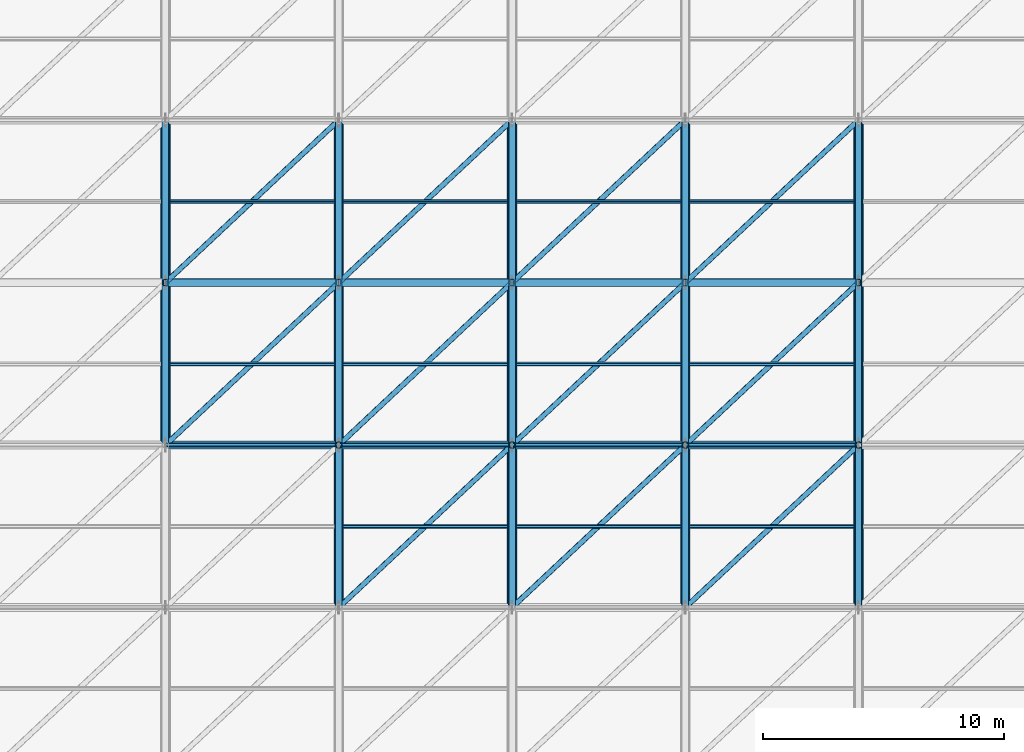
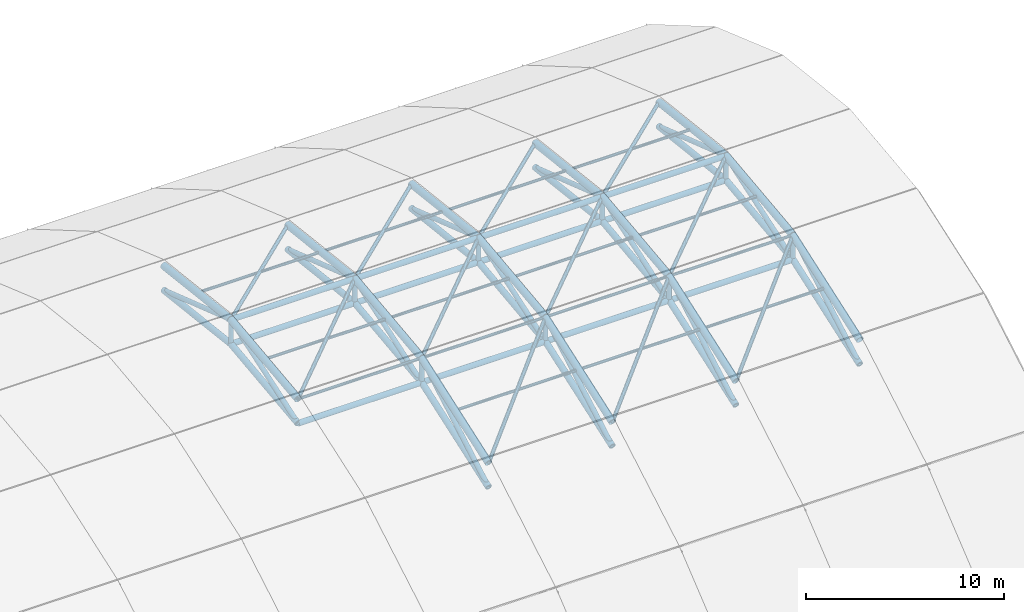
# One storey, part 9 of 72: 75 members, 14 beams.
"""IFC4 building model written with IfcOpenShell, lengths in metres."""

from ifc_helpers import new_model, si_unit, direction, frame, origin, origin_2d, place, context, subcontext, project, spatial, hollow_circle, extrude, material, material_profile, profile_set, type_object, element, save


model = new_model("IFC4")

# Units and contexts
model_context = context("Model", 3, precision=1e-05, world=origin(), true_north=direction((0.0, 1.0)))
body_context = subcontext(model_context, "Body", "Model", "MODEL_VIEW")
ifc_project = project(units=[si_unit("LENGTHUNIT", "METRE"), si_unit("AREAUNIT", "SQUARE_METRE"), si_unit("VOLUMEUNIT", "CUBIC_METRE"), si_unit("PLANEANGLEUNIT", "RADIAN"), si_unit("MASSUNIT", "GRAM", prefix="KILO")], contexts=[model_context])

# Site, building, storey
site_placement = place(None, origin())
site = spatial("IfcSite", under=ifc_project, at=site_placement, CompositionType="ELEMENT")
building_placement = place(site_placement, origin())
building = spatial("IfcBuilding", under=site, at=building_placement, Name="Vaelcorin Mobility Hub", CompositionType="ELEMENT")
storey_placement = place(building_placement, frame((0.0, 0.0, 25.800048828125)))
storey = spatial("IfcBuildingStorey", under=building, at=storey_placement, Name="RF", CompositionType="ELEMENT", Elevation=25.800048828125)

# Members
ifc_material = material(Name="Steel ASTM A500 Grade C", Category="steel")
ifc_material_profile_1 = material_profile(ifc_material, hollow_circle(Radius=0.161865234375, WallThickness=0.0126953125, at=origin_2d()), Name="HSS12.750X0.500")
ifc_profile_set_1 = profile_set([ifc_material_profile_1], Name="Steel ASTM A500 Grade C")
member_type_1 = type_object("IfcMemberType", Name="SF-CHORD-12", PredefinedType="CHORD", material=ifc_profile_set_1)
for number, where, z_axis, x_axis, name in (
    (1, (72.0, 26.25, -9.488037109375), (1.0, 0.0, 0.0), (0.0, 1.0, 0.0), "Space Frame Lower Longitudinal Chord 6-3"),
    (2, (72.0, 33.0, -7.199951171875), (1.0, 0.0, 0.0), (0.0, 1.0, 0.0), "Space Frame Longitudinal Chord 6-4"),
    (3, (72.0, 33.0, -8.699951171875), (1.0, 0.0, 0.0), (0.0, 1.0, 0.0), "Space Frame Lower Longitudinal Chord 6-4"),
    (4, (79.199951171875, 26.25, -9.488037109375), (1.0, 0.0, 0.0), (0.0, 1.0, 0.0), "Space Frame Lower Longitudinal Chord 7-3"),
    (5, (79.199951171875, 33.0, -7.199951171875), (1.0, 0.0, 0.0), (0.0, 1.0, 0.0), "Space Frame Longitudinal Chord 7-4"),
    (6, (79.199951171875, 33.0, -8.699951171875), (1.0, 0.0, 0.0), (0.0, 1.0, 0.0), "Space Frame Lower Longitudinal Chord 7-4"),
):
    element("IfcMember", number, at=place(storey_placement, frame(where, z_axis=z_axis, x_axis=x_axis)), inside=storey, type_object=member_type_1, Name=name, PredefinedType="CHORD", context=body_context, shape_type="SweptSolid", body=[
        extrude(hollow_circle(Radius=0.161865234375, WallThickness=0.0126953125, at=origin_2d()), origin(), (0.0, 0.0, 1.0), 7.199951171875),
    ])
for number, where, z_axis, x_axis, name in (
    (7, (86.39990234375, 26.25, -9.488037109375), (1.0, 0.0, 0.0), (0.0, 1.0, 0.0), "Space Frame Lower Longitudinal Chord 8-3"),
    (8, (86.39990234375, 33.0, -7.199951171875), (1.0, 0.0, 0.0), (0.0, 1.0, 0.0), "Space Frame Longitudinal Chord 8-4"),
    (9, (86.39990234375, 33.0, -8.699951171875), (1.0, 0.0, 0.0), (0.0, 1.0, 0.0), "Space Frame Lower Longitudinal Chord 8-4"),
):
    element("IfcMember", number, at=place(storey_placement, frame(where, z_axis=z_axis, x_axis=x_axis)), inside=storey, type_object=member_type_1, Name=name, PredefinedType="CHORD", context=body_context, shape_type="SweptSolid", body=[
        extrude(hollow_circle(Radius=0.161865234375, WallThickness=0.0126953125, at=origin_2d()), origin(), (0.0, 0.0, 1.0), 7.2001953125),
    ])
for number, where, z_axis, x_axis, name in (
    (10, (93.60009765625, 26.25, -9.488037109375), (1.0, 0.0, 0.0), (0.0, 1.0, 0.0), "Space Frame Lower Longitudinal Chord 9-3"),
    (11, (93.60009765625, 33.0, -7.199951171875), (1.0, 0.0, 0.0), (0.0, 1.0, 0.0), "Space Frame Longitudinal Chord 9-4"),
    (12, (93.60009765625, 33.0, -8.699951171875), (1.0, 0.0, 0.0), (0.0, 1.0, 0.0), "Space Frame Lower Longitudinal Chord 9-4"),
):
    element("IfcMember", number, at=place(storey_placement, frame(where, z_axis=z_axis, x_axis=x_axis)), inside=storey, type_object=member_type_1, Name=name, PredefinedType="CHORD", context=body_context, shape_type="SweptSolid", body=[
        extrude(hollow_circle(Radius=0.161865234375, WallThickness=0.0126953125, at=origin_2d()), origin(), (0.0, 0.0, 1.0), 7.199951171875),
    ])
ifc_material_profile_2 = material_profile(ifc_material, hollow_circle(Radius=0.177734375, WallThickness=0.0126953125, at=origin_2d()), Name="HSS14.000X0.500")
ifc_profile_set_2 = profile_set([ifc_material_profile_2], Name="Steel ASTM A500 Grade C")
member_type_2 = type_object("IfcMemberType", Name="SF-CHORD-14", PredefinedType="CHORD", material=ifc_profile_set_2)
for number, where, z_axis, x_axis, name in (
    (13, (72.0, 26.25, -9.488037109375), (0.0, 0.993253211532, 0.115965761242), (-1.0, 0.0, 0.0), "Space Frame Roof Truss Lower Chord 6-4"),
    (14, (72.0, 33.0, -8.699951171875), (0.0, 0.993253211532, -0.115965761242), (-1.0, 0.0, 0.0), "Space Frame Roof Truss Lower Chord 6-5"),
):
    element("IfcMember", number, at=place(storey_placement, frame(where, z_axis=z_axis, x_axis=x_axis)), inside=storey, type_object=member_type_2, Name=name, PredefinedType="CHORD", context=body_context, shape_type="SweptSolid", body=[
        extrude(hollow_circle(Radius=0.177734375, WallThickness=0.0126953125, at=origin_2d()), origin(), (0.0, 0.0, 1.0), 6.7958984375),
    ])
member_1_placement = place(storey_placement, frame((79.199951171875, 19.5, -11.85009765625), z_axis=(0.0, 0.943877515247, 0.330295679977), x_axis=(-1.0, 0.0, 0.0)))
element("IfcMember", 15, at=member_1_placement, inside=storey, type_object=member_type_2, Name="Space Frame Roof Truss Lower Chord 7-3", PredefinedType="CHORD", context=body_context, shape_type="SweptSolid", body=[
    extrude(hollow_circle(Radius=0.177734375, WallThickness=0.0126953125, at=origin_2d()), origin(), (0.0, 0.0, 1.0), 7.1513671875),
])
for number, where, z_axis, x_axis, name in (
    (16, (79.199951171875, 26.25, -9.488037109375), (0.0, 0.993253211532, 0.115965761242), (-1.0, 0.0, 0.0), "Space Frame Roof Truss Lower Chord 7-4"),
    (17, (79.199951171875, 33.0, -8.699951171875), (0.0, 0.993253211532, -0.115965761242), (-1.0, 0.0, 0.0), "Space Frame Roof Truss Lower Chord 7-5"),
):
    element("IfcMember", number, at=place(storey_placement, frame(where, z_axis=z_axis, x_axis=x_axis)), inside=storey, type_object=member_type_2, Name=name, PredefinedType="CHORD", context=body_context, shape_type="SweptSolid", body=[
        extrude(hollow_circle(Radius=0.177734375, WallThickness=0.0126953125, at=origin_2d()), origin(), (0.0, 0.0, 1.0), 6.7958984375),
    ])
member_2_placement = place(storey_placement, frame((86.39990234375, 19.5, -11.85009765625), z_axis=(0.0, 0.943877515247, 0.330295679977), x_axis=(-1.0, 0.0, 0.0)))
element("IfcMember", 18, at=member_2_placement, inside=storey, type_object=member_type_2, Name="Space Frame Roof Truss Lower Chord 8-3", PredefinedType="CHORD", context=body_context, shape_type="SweptSolid", body=[
    extrude(hollow_circle(Radius=0.177734375, WallThickness=0.0126953125, at=origin_2d()), origin(), (0.0, 0.0, 1.0), 7.1513671875),
])
for number, where, z_axis, x_axis, name in (
    (19, (86.39990234375, 26.25, -9.488037109375), (0.0, 0.993253211532, 0.115965761242), (-1.0, 0.0, 0.0), "Space Frame Roof Truss Lower Chord 8-4"),
    (20, (86.39990234375, 33.0, -8.699951171875), (0.0, 0.993253211532, -0.115965761242), (-1.0, 0.0, 0.0), "Space Frame Roof Truss Lower Chord 8-5"),
):
    element("IfcMember", number, at=place(storey_placement, frame(where, z_axis=z_axis, x_axis=x_axis)), inside=storey, type_object=member_type_2, Name=name, PredefinedType="CHORD", context=body_context, shape_type="SweptSolid", body=[
        extrude(hollow_circle(Radius=0.177734375, WallThickness=0.0126953125, at=origin_2d()), origin(), (0.0, 0.0, 1.0), 6.7958984375),
    ])
member_3_placement = place(storey_placement, frame((93.60009765625, 19.5, -11.85009765625), z_axis=(0.0, 0.943877515247, 0.330295679977), x_axis=(-1.0, 0.0, 0.0)))
element("IfcMember", 21, at=member_3_placement, inside=storey, type_object=member_type_2, Name="Space Frame Roof Truss Lower Chord 9-3", PredefinedType="CHORD", context=body_context, shape_type="SweptSolid", body=[
    extrude(hollow_circle(Radius=0.177734375, WallThickness=0.0126953125, at=origin_2d()), origin(), (0.0, 0.0, 1.0), 7.1513671875),
])
for number, where, z_axis, x_axis, name in (
    (22, (93.60009765625, 26.25, -9.488037109375), (0.0, 0.993253211532, 0.115965761242), (-1.0, 0.0, 0.0), "Space Frame Roof Truss Lower Chord 9-4"),
    (23, (93.60009765625, 33.0, -8.699951171875), (0.0, 0.993253211532, -0.115965761242), (-1.0, 0.0, 0.0), "Space Frame Roof Truss Lower Chord 9-5"),
):
    element("IfcMember", number, at=place(storey_placement, frame(where, z_axis=z_axis, x_axis=x_axis)), inside=storey, type_object=member_type_2, Name=name, PredefinedType="CHORD", context=body_context, shape_type="SweptSolid", body=[
        extrude(hollow_circle(Radius=0.177734375, WallThickness=0.0126953125, at=origin_2d()), origin(), (0.0, 0.0, 1.0), 6.7958984375),
    ])
member_4_placement = place(storey_placement, frame((100.800048828125, 19.5, -11.85009765625), z_axis=(0.0, 0.943877515247, 0.330295679977), x_axis=(-1.0, 0.0, 0.0)))
element("IfcMember", 24, at=member_4_placement, inside=storey, type_object=member_type_2, Name="Space Frame Roof Truss Lower Chord 10-3", PredefinedType="CHORD", context=body_context, shape_type="SweptSolid", body=[
    extrude(hollow_circle(Radius=0.177734375, WallThickness=0.0126953125, at=origin_2d()), origin(), (0.0, 0.0, 1.0), 7.1513671875),
])
for number, where, z_axis, x_axis, name in (
    (25, (100.800048828125, 26.25, -9.488037109375), (0.0, 0.993253211532, 0.115965761242), (-1.0, 0.0, 0.0), "Space Frame Roof Truss Lower Chord 10-4"),
    (26, (100.800048828125, 33.0, -8.699951171875), (0.0, 0.993253211532, -0.115965761242), (-1.0, 0.0, 0.0), "Space Frame Roof Truss Lower Chord 10-5"),
):
    element("IfcMember", number, at=place(storey_placement, frame(where, z_axis=z_axis, x_axis=x_axis)), inside=storey, type_object=member_type_2, Name=name, PredefinedType="CHORD", context=body_context, shape_type="SweptSolid", body=[
        extrude(hollow_circle(Radius=0.177734375, WallThickness=0.0126953125, at=origin_2d()), origin(), (0.0, 0.0, 1.0), 6.7958984375),
    ])
ifc_material_profile_3 = material_profile(ifc_material, hollow_circle(Radius=0.136474609375, WallThickness=0.0126953125, at=origin_2d()), Name="HSS10.750X0.500")
ifc_profile_set_3 = profile_set([ifc_material_profile_3], Name="Steel ASTM A500 Grade C")
member_type_3 = type_object("IfcMemberType", Name="SF-DIAG-10", PredefinedType="BRACE", material=ifc_profile_set_3)
for number, where, z_axis, x_axis, name in (
    (27, (72.0, 26.25, -9.488037109375), (0.0, 0.947067997683, 0.321033032201), (-1.0, 0.0, 0.0), "Space Frame Roof Truss Web Diagonal 6-4"),
    (28, (72.0, 33.0, -7.199951171875), (0.0, 0.947067997683, -0.321033032201), (-1.0, 0.0, 0.0), "Space Frame Roof Truss Web Diagonal 6-5"),
):
    element("IfcMember", number, at=place(storey_placement, frame(where, z_axis=z_axis, x_axis=x_axis)), inside=storey, type_object=member_type_3, Name=name, PredefinedType="BRACE", context=body_context, shape_type="SweptSolid", body=[
        extrude(hollow_circle(Radius=0.136474609375, WallThickness=0.0126953125, at=origin_2d()), origin(), (0.0, 0.0, 1.0), 7.127197265625),
    ])
member_5_placement = place(storey_placement, frame((79.199951171875, 19.5, -11.85009765625), z_axis=(0.0, 0.867970611296, 0.496615563516), x_axis=(-1.0, 0.0, 0.0)))
element("IfcMember", 29, at=member_5_placement, inside=storey, type_object=member_type_3, Name="Space Frame Roof Truss Web Diagonal 7-3", PredefinedType="BRACE", context=body_context, shape_type="SweptSolid", body=[
    extrude(hollow_circle(Radius=0.136474609375, WallThickness=0.0126953125, at=origin_2d()), origin(), (0.0, 0.0, 1.0), 7.77685546875),
])
for number, where, z_axis, x_axis, name in (
    (30, (79.199951171875, 26.25, -9.488037109375), (0.0, 0.947067997683, 0.321033032201), (-1.0, 0.0, 0.0), "Space Frame Roof Truss Web Diagonal 7-4"),
    (31, (79.199951171875, 33.0, -7.199951171875), (0.0, 0.947067997683, -0.321033032201), (-1.0, 0.0, 0.0), "Space Frame Roof Truss Web Diagonal 7-5"),
):
    element("IfcMember", number, at=place(storey_placement, frame(where, z_axis=z_axis, x_axis=x_axis)), inside=storey, type_object=member_type_3, Name=name, PredefinedType="BRACE", context=body_context, shape_type="SweptSolid", body=[
        extrude(hollow_circle(Radius=0.136474609375, WallThickness=0.0126953125, at=origin_2d()), origin(), (0.0, 0.0, 1.0), 7.127197265625),
    ])
member_6_placement = place(storey_placement, frame((86.39990234375, 19.5, -11.85009765625), z_axis=(0.0, 0.867970611296, 0.496615563516), x_axis=(-1.0, 0.0, 0.0)))
element("IfcMember", 32, at=member_6_placement, inside=storey, type_object=member_type_3, Name="Space Frame Roof Truss Web Diagonal 8-3", PredefinedType="BRACE", context=body_context, shape_type="SweptSolid", body=[
    extrude(hollow_circle(Radius=0.136474609375, WallThickness=0.0126953125, at=origin_2d()), origin(), (0.0, 0.0, 1.0), 7.77685546875),
])
for number, where, z_axis, x_axis, name in (
    (33, (86.39990234375, 26.25, -9.488037109375), (0.0, 0.947067997683, 0.321033032201), (-1.0, 0.0, 0.0), "Space Frame Roof Truss Web Diagonal 8-4"),
    (34, (86.39990234375, 33.0, -7.199951171875), (0.0, 0.947067997683, -0.321033032201), (-1.0, 0.0, 0.0), "Space Frame Roof Truss Web Diagonal 8-5"),
):
    element("IfcMember", number, at=place(storey_placement, frame(where, z_axis=z_axis, x_axis=x_axis)), inside=storey, type_object=member_type_3, Name=name, PredefinedType="BRACE", context=body_context, shape_type="SweptSolid", body=[
        extrude(hollow_circle(Radius=0.136474609375, WallThickness=0.0126953125, at=origin_2d()), origin(), (0.0, 0.0, 1.0), 7.127197265625),
    ])
member_7_placement = place(storey_placement, frame((93.60009765625, 19.5, -11.85009765625), z_axis=(0.0, 0.867970611296, 0.496615563516), x_axis=(-1.0, 0.0, 0.0)))
element("IfcMember", 35, at=member_7_placement, inside=storey, type_object=member_type_3, Name="Space Frame Roof Truss Web Diagonal 9-3", PredefinedType="BRACE", context=body_context, shape_type="SweptSolid", body=[
    extrude(hollow_circle(Radius=0.136474609375, WallThickness=0.0126953125, at=origin_2d()), origin(), (0.0, 0.0, 1.0), 7.77685546875),
])
for number, where, z_axis, x_axis, name in (
    (36, (93.60009765625, 26.25, -9.488037109375), (0.0, 0.947067997683, 0.321033032201), (-1.0, 0.0, 0.0), "Space Frame Roof Truss Web Diagonal 9-4"),
    (37, (93.60009765625, 33.0, -7.199951171875), (0.0, 0.947067997683, -0.321033032201), (-1.0, 0.0, 0.0), "Space Frame Roof Truss Web Diagonal 9-5"),
):
    element("IfcMember", number, at=place(storey_placement, frame(where, z_axis=z_axis, x_axis=x_axis)), inside=storey, type_object=member_type_3, Name=name, PredefinedType="BRACE", context=body_context, shape_type="SweptSolid", body=[
        extrude(hollow_circle(Radius=0.136474609375, WallThickness=0.0126953125, at=origin_2d()), origin(), (0.0, 0.0, 1.0), 7.127197265625),
    ])
member_8_placement = place(storey_placement, frame((100.800048828125, 19.5, -11.85009765625), z_axis=(0.0, 0.867970611296, 0.496615563516), x_axis=(-1.0, 0.0, 0.0)))
element("IfcMember", 38, at=member_8_placement, inside=storey, type_object=member_type_3, Name="Space Frame Roof Truss Web Diagonal 10-3", PredefinedType="BRACE", context=body_context, shape_type="SweptSolid", body=[
    extrude(hollow_circle(Radius=0.136474609375, WallThickness=0.0126953125, at=origin_2d()), origin(), (0.0, 0.0, 1.0), 7.77685546875),
])
for number, where, z_axis, x_axis, name in (
    (39, (100.800048828125, 26.25, -9.488037109375), (0.0, 0.947067997683, 0.321033032201), (-1.0, 0.0, 0.0), "Space Frame Roof Truss Web Diagonal 10-4"),
    (40, (100.800048828125, 33.0, -7.199951171875), (0.0, 0.947067997683, -0.321033032201), (-1.0, 0.0, 0.0), "Space Frame Roof Truss Web Diagonal 10-5"),
):
    element("IfcMember", number, at=place(storey_placement, frame(where, z_axis=z_axis, x_axis=x_axis)), inside=storey, type_object=member_type_3, Name=name, PredefinedType="BRACE", context=body_context, shape_type="SweptSolid", body=[
        extrude(hollow_circle(Radius=0.136474609375, WallThickness=0.0126953125, at=origin_2d()), origin(), (0.0, 0.0, 1.0), 7.127197265625),
    ])
ifc_material_profile_4 = material_profile(ifc_material, hollow_circle(Radius=0.109619140625, WallThickness=0.009521484375, at=origin_2d()), Name="HSS8.625X0.375")
ifc_profile_set_4 = profile_set([ifc_material_profile_4], Name="Steel ASTM A500 Grade C")
member_type_4 = type_object("IfcMemberType", Name="SF-DIAG-8", PredefinedType="BRACE", material=ifc_profile_set_4)
for number, where, z_axis, x_axis, name in (
    (41, (72.0, 26.25, -7.988037109375), (0.727220026483, 0.6817733984, 0.079599411532), (-0.683943597489, 0.729534889813, 0.0), "Space Frame Bracing Diagonal 6-4"),
    (42, (72.0, 33.0, -7.199951171875), (0.727220026483, 0.6817733984, -0.079599411532), (-0.683943597489, 0.729534889813, 0.0), "Space Frame Bracing Diagonal 6-5"),
):
    element("IfcMember", number, at=place(storey_placement, frame(where, z_axis=z_axis, x_axis=x_axis)), inside=storey, type_object=member_type_4, Name=name, PredefinedType="BRACE", context=body_context, shape_type="SweptSolid", body=[
        extrude(hollow_circle(Radius=0.109619140625, WallThickness=0.009521484375, at=origin_2d()), origin(), (0.0, 0.0, 1.0), 9.900634765625),
    ])
member_9_placement = place(storey_placement, frame((79.199951171875, 19.5, -10.35009765625), z_axis=(0.709497274068, 0.665158205331, 0.232762067295), x_axis=(-0.683943597489, 0.729534889813, 0.0)))
element("IfcMember", 43, at=member_9_placement, inside=storey, type_object=member_type_4, Name="Space Frame Bracing Diagonal 7-3", PredefinedType="BRACE", context=body_context, shape_type="SweptSolid", body=[
    extrude(hollow_circle(Radius=0.109619140625, WallThickness=0.009521484375, at=origin_2d()), origin(), (0.0, 0.0, 1.0), 10.14794921875),
])
for number, where, z_axis, x_axis, name in (
    (44, (79.199951171875, 26.25, -7.988037109375), (0.727220026483, 0.6817733984, 0.079599411532), (-0.683943597489, 0.729534889813, 0.0), "Space Frame Bracing Diagonal 7-4"),
    (45, (79.199951171875, 33.0, -7.199951171875), (0.727220026483, 0.6817733984, -0.079599411532), (-0.683943597489, 0.729534889813, 0.0), "Space Frame Bracing Diagonal 7-5"),
):
    element("IfcMember", number, at=place(storey_placement, frame(where, z_axis=z_axis, x_axis=x_axis)), inside=storey, type_object=member_type_4, Name=name, PredefinedType="BRACE", context=body_context, shape_type="SweptSolid", body=[
        extrude(hollow_circle(Radius=0.109619140625, WallThickness=0.009521484375, at=origin_2d()), origin(), (0.0, 0.0, 1.0), 9.900634765625),
    ])
member_10_placement = place(storey_placement, frame((86.39990234375, 19.5, -10.35009765625), z_axis=(0.709509221339, 0.665146851742, 0.232758094278), x_axis=(-0.683931254551, 0.729546461199, 0.0)))
element("IfcMember", 46, at=member_10_placement, inside=storey, type_object=member_type_4, Name="Space Frame Bracing Diagonal 8-3", PredefinedType="BRACE", context=body_context, shape_type="SweptSolid", body=[
    extrude(hollow_circle(Radius=0.109619140625, WallThickness=0.009521484375, at=origin_2d()), origin(), (0.0, 0.0, 1.0), 10.148193359375),
])
for number, where, z_axis, x_axis, name in (
    (47, (86.39990234375, 26.25, -7.988037109375), (0.727231644307, 0.681761172583, 0.079597984125), (-0.683931254551, 0.729546461199, 0.0), "Space Frame Bracing Diagonal 8-4"),
    (48, (86.39990234375, 33.0, -7.199951171875), (0.727231644307, 0.681761172583, -0.079597984125), (-0.683931254551, 0.729546461199, 0.0), "Space Frame Bracing Diagonal 8-5"),
):
    element("IfcMember", number, at=place(storey_placement, frame(where, z_axis=z_axis, x_axis=x_axis)), inside=storey, type_object=member_type_4, Name=name, PredefinedType="BRACE", context=body_context, shape_type="SweptSolid", body=[
        extrude(hollow_circle(Radius=0.109619140625, WallThickness=0.009521484375, at=origin_2d()), origin(), (0.0, 0.0, 1.0), 9.90087890625),
    ])
member_11_placement = place(storey_placement, frame((93.60009765625, 19.5, -10.35009765625), z_axis=(0.709497274068, 0.665158205331, 0.232762067295), x_axis=(-0.683943597489, 0.729534889813, 0.0)))
element("IfcMember", 49, at=member_11_placement, inside=storey, type_object=member_type_4, Name="Space Frame Bracing Diagonal 9-3", PredefinedType="BRACE", context=body_context, shape_type="SweptSolid", body=[
    extrude(hollow_circle(Radius=0.109619140625, WallThickness=0.009521484375, at=origin_2d()), origin(), (0.0, 0.0, 1.0), 10.14794921875),
])
for number, where, z_axis, x_axis, name in (
    (50, (93.60009765625, 26.25, -7.988037109375), (0.727220026483, 0.6817733984, 0.079599411532), (-0.683943597489, 0.729534889813, 0.0), "Space Frame Bracing Diagonal 9-4"),
    (51, (93.60009765625, 33.0, -7.199951171875), (0.727220026483, 0.6817733984, -0.079599411532), (-0.683943597489, 0.729534889813, 0.0), "Space Frame Bracing Diagonal 9-5"),
):
    element("IfcMember", number, at=place(storey_placement, frame(where, z_axis=z_axis, x_axis=x_axis)), inside=storey, type_object=member_type_4, Name=name, PredefinedType="BRACE", context=body_context, shape_type="SweptSolid", body=[
        extrude(hollow_circle(Radius=0.109619140625, WallThickness=0.009521484375, at=origin_2d()), origin(), (0.0, 0.0, 1.0), 9.900634765625),
    ])
ifc_material_profile_5 = material_profile(ifc_material, hollow_circle(Radius=0.136474609375, WallThickness=0.0126953125, at=origin_2d()), Name="HSS10.750X0.500")
ifc_profile_set_5 = profile_set([ifc_material_profile_5], Name="Steel ASTM A500 Grade C")
member_type_5 = type_object("IfcMemberType", Name="SF-POST-10", PredefinedType="POST", material=ifc_profile_set_5)
for number, where, z_axis, x_axis, name in (
    (52, (72.0, 33.0, -8.699951171875), (0.0, 0.0, 1.0), (1.0, 0.0, 0.0), "Space Frame Roof Truss Post 6-4"),
    (53, (79.199951171875, 26.25, -9.488037109375), (0.0, 0.0, 1.0), (1.0, 0.0, 0.0), "Space Frame Roof Truss Post 7-3"),
    (54, (79.199951171875, 33.0, -8.699951171875), (0.0, 0.0, 1.0), (1.0, 0.0, 0.0), "Space Frame Roof Truss Post 7-4"),
    (55, (86.39990234375, 26.25, -9.488037109375), (0.0, 0.0, 1.0), (1.0, 0.0, 0.0), "Space Frame Roof Truss Post 8-3"),
    (56, (86.39990234375, 33.0, -8.699951171875), (0.0, 0.0, 1.0), (1.0, 0.0, 0.0), "Space Frame Roof Truss Post 8-4"),
    (57, (93.60009765625, 26.25, -9.488037109375), (0.0, 0.0, 1.0), (1.0, 0.0, 0.0), "Space Frame Roof Truss Post 9-3"),
    (58, (93.60009765625, 33.0, -8.699951171875), (0.0, 0.0, 1.0), (1.0, 0.0, 0.0), "Space Frame Roof Truss Post 9-4"),
    (59, (100.800048828125, 26.25, -9.488037109375), (0.0, 0.0, 1.0), (1.0, 0.0, 0.0), "Space Frame Roof Truss Post 10-3"),
    (60, (100.800048828125, 33.0, -8.699951171875), (0.0, 0.0, 1.0), (1.0, 0.0, 0.0), "Space Frame Roof Truss Post 10-4"),
):
    element("IfcMember", number, at=place(storey_placement, frame(where, z_axis=z_axis, x_axis=x_axis)), inside=storey, type_object=member_type_5, Name=name, PredefinedType="POST", context=body_context, shape_type="SweptSolid", body=[
        extrude(hollow_circle(Radius=0.136474609375, WallThickness=0.0126953125, at=origin_2d()), origin(), (0.0, 0.0, 1.0), 1.5),
    ])
ifc_material_profile_6 = material_profile(ifc_material, hollow_circle(Radius=0.084228515625, WallThickness=0.0078125, at=origin_2d()), Name="HSS6.625X0.312")
ifc_profile_set_6 = profile_set([ifc_material_profile_6], Name="Steel ASTM A500 Grade C")
member_type_6 = type_object("IfcMemberType", Name="SF-PURL-6", PredefinedType="PURLIN", material=ifc_profile_set_6)
member_12_placement = place(storey_placement, frame((72.0, 26.25, -7.988037109375), z_axis=(1.0, 0.0, 0.0), x_axis=(0.0, 1.0, 0.0)))
element("IfcMember", 61, at=member_12_placement, inside=storey, type_object=member_type_6, Name="Space Frame Longitudinal Chord 6-3", PredefinedType="PURLIN", context=body_context, shape_type="SweptSolid", body=[
    extrude(hollow_circle(Radius=0.084228515625, WallThickness=0.0078125, at=origin_2d()), origin(), (0.0, 0.0, 1.0), 7.199951171875),
])
for number, where, z_axis, x_axis, name in (
    (62, (72.179931640625, 29.625, -7.593994140625), (1.0, 0.0, 0.0), (0.0, 1.0, 0.0), "Space Frame Secondary Purlin 6-4"),
    (63, (72.179931640625, 36.375, -7.593994140625), (1.0, 0.0, 0.0), (0.0, 1.0, 0.0), "Space Frame Secondary Purlin 6-5"),
):
    element("IfcMember", number, at=place(storey_placement, frame(where, z_axis=z_axis, x_axis=x_axis)), inside=storey, type_object=member_type_6, Name=name, PredefinedType="PURLIN", context=body_context, shape_type="SweptSolid", body=[
        extrude(hollow_circle(Radius=0.084228515625, WallThickness=0.0078125, at=origin_2d()), origin(), (0.0, 0.0, 1.0), 6.840087890625),
    ])
member_13_placement = place(storey_placement, frame((79.199951171875, 26.25, -7.988037109375), z_axis=(1.0, 0.0, 0.0), x_axis=(0.0, 1.0, 0.0)))
element("IfcMember", 64, at=member_13_placement, inside=storey, type_object=member_type_6, Name="Space Frame Longitudinal Chord 7-3", PredefinedType="PURLIN", context=body_context, shape_type="SweptSolid", body=[
    extrude(hollow_circle(Radius=0.084228515625, WallThickness=0.0078125, at=origin_2d()), origin(), (0.0, 0.0, 1.0), 7.199951171875),
])
for number, where, z_axis, x_axis, name in (
    (65, (79.3798828125, 22.875, -9.1689453125), (1.0, 0.0, 0.0), (0.0, 1.0, 0.0), "Space Frame Secondary Purlin 7-3"),
    (66, (79.3798828125, 29.625, -7.593994140625), (1.0, 0.0, 0.0), (0.0, 1.0, 0.0), "Space Frame Secondary Purlin 7-4"),
    (67, (79.3798828125, 36.375, -7.593994140625), (1.0, 0.0, 0.0), (0.0, 1.0, 0.0), "Space Frame Secondary Purlin 7-5"),
):
    element("IfcMember", number, at=place(storey_placement, frame(where, z_axis=z_axis, x_axis=x_axis)), inside=storey, type_object=member_type_6, Name=name, PredefinedType="PURLIN", context=body_context, shape_type="SweptSolid", body=[
        extrude(hollow_circle(Radius=0.084228515625, WallThickness=0.0078125, at=origin_2d()), origin(), (0.0, 0.0, 1.0), 6.840087890625),
    ])
member_14_placement = place(storey_placement, frame((86.39990234375, 26.25, -7.988037109375), z_axis=(1.0, 0.0, 0.0), x_axis=(0.0, 1.0, 0.0)))
element("IfcMember", 68, at=member_14_placement, inside=storey, type_object=member_type_6, Name="Space Frame Longitudinal Chord 8-3", PredefinedType="PURLIN", context=body_context, shape_type="SweptSolid", body=[
    extrude(hollow_circle(Radius=0.084228515625, WallThickness=0.0078125, at=origin_2d()), origin(), (0.0, 0.0, 1.0), 7.2001953125),
])
for number, where, z_axis, x_axis, name in (
    (69, (86.580078125, 22.875, -9.1689453125), (1.0, 0.0, 0.0), (0.0, 1.0, 0.0), "Space Frame Secondary Purlin 8-3"),
    (70, (86.580078125, 29.625, -7.593994140625), (1.0, 0.0, 0.0), (0.0, 1.0, 0.0), "Space Frame Secondary Purlin 8-4"),
    (71, (86.580078125, 36.375, -7.593994140625), (1.0, 0.0, 0.0), (0.0, 1.0, 0.0), "Space Frame Secondary Purlin 8-5"),
):
    element("IfcMember", number, at=place(storey_placement, frame(where, z_axis=z_axis, x_axis=x_axis)), inside=storey, type_object=member_type_6, Name=name, PredefinedType="PURLIN", context=body_context, shape_type="SweptSolid", body=[
        extrude(hollow_circle(Radius=0.084228515625, WallThickness=0.0078125, at=origin_2d()), origin(), (0.0, 0.0, 1.0), 6.83984375),
    ])
member_15_placement = place(storey_placement, frame((93.60009765625, 26.25, -7.988037109375), z_axis=(1.0, 0.0, 0.0), x_axis=(0.0, 1.0, 0.0)))
element("IfcMember", 72, at=member_15_placement, inside=storey, type_object=member_type_6, Name="Space Frame Longitudinal Chord 9-3", PredefinedType="PURLIN", context=body_context, shape_type="SweptSolid", body=[
    extrude(hollow_circle(Radius=0.084228515625, WallThickness=0.0078125, at=origin_2d()), origin(), (0.0, 0.0, 1.0), 7.199951171875),
])
for number, where, z_axis, x_axis, name in (
    (73, (93.780029296875, 22.875, -9.1689453125), (1.0, 0.0, 0.0), (0.0, 1.0, 0.0), "Space Frame Secondary Purlin 9-3"),
    (74, (93.780029296875, 29.625, -7.593994140625), (1.0, 0.0, 0.0), (0.0, 1.0, 0.0), "Space Frame Secondary Purlin 9-4"),
    (75, (93.780029296875, 36.375, -7.593994140625), (1.0, 0.0, 0.0), (0.0, 1.0, 0.0), "Space Frame Secondary Purlin 9-5"),
):
    element("IfcMember", number, at=place(storey_placement, frame(where, z_axis=z_axis, x_axis=x_axis)), inside=storey, type_object=member_type_6, Name=name, PredefinedType="PURLIN", context=body_context, shape_type="SweptSolid", body=[
        extrude(hollow_circle(Radius=0.084228515625, WallThickness=0.0078125, at=origin_2d()), origin(), (0.0, 0.0, 1.0), 6.840087890625),
    ])

# Beams
ifc_material_profile_7 = material_profile(ifc_material, hollow_circle(Radius=0.203125, WallThickness=0.015869140625, at=origin_2d()), Name="HSS16.000X0.625")
ifc_profile_set_7 = profile_set([ifc_material_profile_7], Name="Steel ASTM A500 Grade C")
beam_type = type_object("IfcBeamType", Name="TR-CHORD-16", PredefinedType="BEAM", material=ifc_profile_set_7)
for number, where, z_axis, x_axis, name in (
    (76, (72.0, 26.25, -7.988037109375), (0.0, 0.993253211532, 0.115965761242), (-1.0, 0.0, 0.0), "Space Frame Roof Truss Upper Chord 6-4"),
    (77, (72.0, 33.0, -7.199951171875), (0.0, 0.993253211532, -0.115965761242), (-1.0, 0.0, 0.0), "Space Frame Roof Truss Upper Chord 6-5"),
):
    element("IfcBeam", number, at=place(storey_placement, frame(where, z_axis=z_axis, x_axis=x_axis)), inside=storey, type_object=beam_type, Name=name, PredefinedType="BEAM", context=body_context, shape_type="SweptSolid", body=[
        extrude(hollow_circle(Radius=0.203125, WallThickness=0.015869140625, at=origin_2d()), origin(), (0.0, 0.0, 1.0), 6.7958984375),
    ])
beam_1_placement = place(storey_placement, frame((79.199951171875, 19.5, -10.35009765625), z_axis=(0.0, 0.943877515247, 0.330295679977), x_axis=(-1.0, 0.0, 0.0)))
element("IfcBeam", 78, at=beam_1_placement, inside=storey, type_object=beam_type, Name="Space Frame Roof Truss Upper Chord 7-3", PredefinedType="BEAM", context=body_context, shape_type="SweptSolid", body=[
    extrude(hollow_circle(Radius=0.203125, WallThickness=0.015869140625, at=origin_2d()), origin(), (0.0, 0.0, 1.0), 7.1513671875),
])
for number, where, z_axis, x_axis, name in (
    (79, (79.199951171875, 26.25, -7.988037109375), (0.0, 0.993253211532, 0.115965761242), (-1.0, 0.0, 0.0), "Space Frame Roof Truss Upper Chord 7-4"),
    (80, (79.199951171875, 33.0, -7.199951171875), (0.0, 0.993253211532, -0.115965761242), (-1.0, 0.0, 0.0), "Space Frame Roof Truss Upper Chord 7-5"),
):
    element("IfcBeam", number, at=place(storey_placement, frame(where, z_axis=z_axis, x_axis=x_axis)), inside=storey, type_object=beam_type, Name=name, PredefinedType="BEAM", context=body_context, shape_type="SweptSolid", body=[
        extrude(hollow_circle(Radius=0.203125, WallThickness=0.015869140625, at=origin_2d()), origin(), (0.0, 0.0, 1.0), 6.7958984375),
    ])
beam_2_placement = place(storey_placement, frame((86.39990234375, 19.5, -10.35009765625), z_axis=(0.0, 0.943877515247, 0.330295679977), x_axis=(-1.0, 0.0, 0.0)))
element("IfcBeam", 81, at=beam_2_placement, inside=storey, type_object=beam_type, Name="Space Frame Roof Truss Upper Chord 8-3", PredefinedType="BEAM", context=body_context, shape_type="SweptSolid", body=[
    extrude(hollow_circle(Radius=0.203125, WallThickness=0.015869140625, at=origin_2d()), origin(), (0.0, 0.0, 1.0), 7.1513671875),
])
for number, where, z_axis, x_axis, name in (
    (82, (86.39990234375, 26.25, -7.988037109375), (0.0, 0.993253211532, 0.115965761242), (-1.0, 0.0, 0.0), "Space Frame Roof Truss Upper Chord 8-4"),
    (83, (86.39990234375, 33.0, -7.199951171875), (0.0, 0.993253211532, -0.115965761242), (-1.0, 0.0, 0.0), "Space Frame Roof Truss Upper Chord 8-5"),
):
    element("IfcBeam", number, at=place(storey_placement, frame(where, z_axis=z_axis, x_axis=x_axis)), inside=storey, type_object=beam_type, Name=name, PredefinedType="BEAM", context=body_context, shape_type="SweptSolid", body=[
        extrude(hollow_circle(Radius=0.203125, WallThickness=0.015869140625, at=origin_2d()), origin(), (0.0, 0.0, 1.0), 6.7958984375),
    ])
beam_3_placement = place(storey_placement, frame((93.60009765625, 19.5, -10.35009765625), z_axis=(0.0, 0.943877515247, 0.330295679977), x_axis=(-1.0, 0.0, 0.0)))
element("IfcBeam", 84, at=beam_3_placement, inside=storey, type_object=beam_type, Name="Space Frame Roof Truss Upper Chord 9-3", PredefinedType="BEAM", context=body_context, shape_type="SweptSolid", body=[
    extrude(hollow_circle(Radius=0.203125, WallThickness=0.015869140625, at=origin_2d()), origin(), (0.0, 0.0, 1.0), 7.1513671875),
])
for number, where, z_axis, x_axis, name in (
    (85, (93.60009765625, 26.25, -7.988037109375), (0.0, 0.993253211532, 0.115965761242), (-1.0, 0.0, 0.0), "Space Frame Roof Truss Upper Chord 9-4"),
    (86, (93.60009765625, 33.0, -7.199951171875), (0.0, 0.993253211532, -0.115965761242), (-1.0, 0.0, 0.0), "Space Frame Roof Truss Upper Chord 9-5"),
):
    element("IfcBeam", number, at=place(storey_placement, frame(where, z_axis=z_axis, x_axis=x_axis)), inside=storey, type_object=beam_type, Name=name, PredefinedType="BEAM", context=body_context, shape_type="SweptSolid", body=[
        extrude(hollow_circle(Radius=0.203125, WallThickness=0.015869140625, at=origin_2d()), origin(), (0.0, 0.0, 1.0), 6.7958984375),
    ])
beam_4_placement = place(storey_placement, frame((100.800048828125, 19.5, -10.35009765625), z_axis=(0.0, 0.943877515247, 0.330295679977), x_axis=(-1.0, 0.0, 0.0)))
element("IfcBeam", 87, at=beam_4_placement, inside=storey, type_object=beam_type, Name="Space Frame Roof Truss Upper Chord 10-3", PredefinedType="BEAM", context=body_context, shape_type="SweptSolid", body=[
    extrude(hollow_circle(Radius=0.203125, WallThickness=0.015869140625, at=origin_2d()), origin(), (0.0, 0.0, 1.0), 7.1513671875),
])
for number, where, z_axis, x_axis, name in (
    (88, (100.800048828125, 26.25, -7.988037109375), (0.0, 0.993253211532, 0.115965761242), (-1.0, 0.0, 0.0), "Space Frame Roof Truss Upper Chord 10-4"),
    (89, (100.800048828125, 33.0, -7.199951171875), (0.0, 0.993253211532, -0.115965761242), (-1.0, 0.0, 0.0), "Space Frame Roof Truss Upper Chord 10-5"),
):
    element("IfcBeam", number, at=place(storey_placement, frame(where, z_axis=z_axis, x_axis=x_axis)), inside=storey, type_object=beam_type, Name=name, PredefinedType="BEAM", context=body_context, shape_type="SweptSolid", body=[
        extrude(hollow_circle(Radius=0.203125, WallThickness=0.015869140625, at=origin_2d()), origin(), (0.0, 0.0, 1.0), 6.7958984375),
    ])

save(model, "model.ifc")
